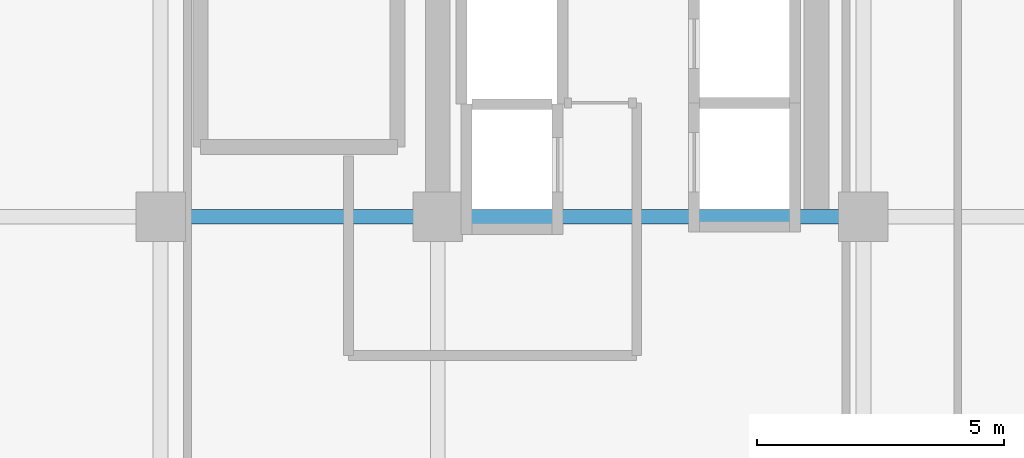
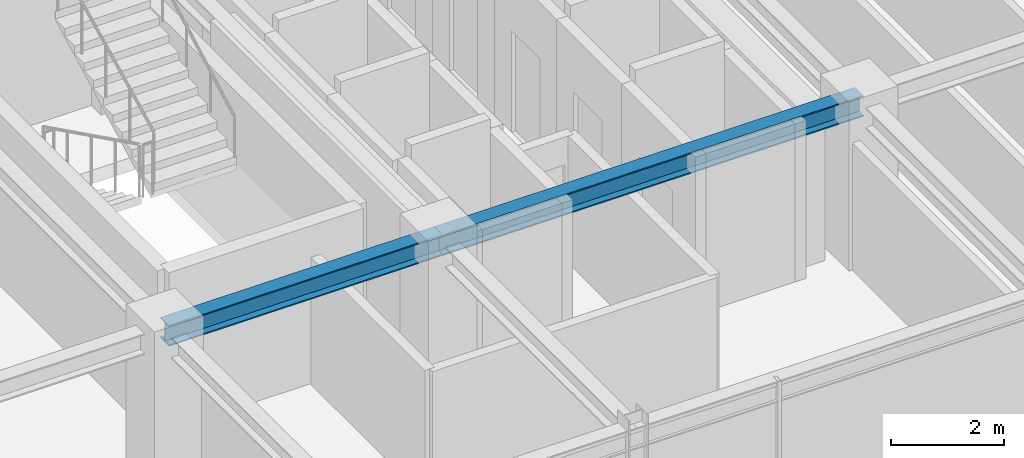
# One storey, part 13 of 35: 2 beams.
"""IFC4 building model written with IfcOpenShell, lengths in metres."""

from ifc_helpers import new_model, si_unit, direction, frame, origin, origin_2d, place, context, subcontext, project, spatial, i_section, extrude, source, transform, mapped, material, material_profile, profile_set, type_object, element, save


model = new_model("IFC4")

# Units and contexts
model_context = context("Model", 3, precision=1e-05, world=origin(), true_north=direction((0.0, 1.0)))
body_context = subcontext(model_context, "Body", "Model", "MODEL_VIEW")
ifc_project = project(units=[si_unit("LENGTHUNIT", "METRE"), si_unit("AREAUNIT", "SQUARE_METRE"), si_unit("VOLUMEUNIT", "CUBIC_METRE"), si_unit("PLANEANGLEUNIT", "RADIAN"), si_unit("MASSUNIT", "GRAM", prefix="KILO")], contexts=[model_context])

# Site, building, storey
site_placement = place(None, origin())
site = spatial("IfcSite", under=ifc_project, at=site_placement, CompositionType="ELEMENT")
building_placement = place(site_placement, origin())
building = spatial("IfcBuilding", under=site, at=building_placement, Name="Nahalor Promenade Grand Hotel", CompositionType="ELEMENT")
storey_placement = place(building_placement, frame((0.0, 0.0, 216.0)))
storey = spatial("IfcBuildingStorey", under=building, at=storey_placement, Name="L55", CompositionType="ELEMENT", Elevation=216.0)

# Beams
ifc_material = material(Name="Steel S355JR", Category="steel")
ifc_material_profile = material_profile(ifc_material, i_section(OverallWidth=0.3, OverallDepth=0.45, WebThickness=0.014, FlangeThickness=0.026, at=origin_2d()), Name="HEB 450")
ifc_profile_set = profile_set([ifc_material_profile], Name="Steel S355JR")
beam_type = type_object("IfcBeamType", Name="Beam-Girder-HEB450", PredefinedType="BEAM", material=ifc_profile_set)
shared_shape_1 = source(origin(), body_context, "Body", "SweptSolid", [
    extrude(i_section(OverallWidth=0.3, OverallDepth=0.45, WebThickness=0.014, FlangeThickness=0.026, at=origin_2d()), origin(), (0.0, 0.0, 1.0), 8.60009765625),
])
beam_1_placement = place(storey_placement, frame((8.39990234375, -17.0, 3.18505859375), z_axis=(1.0, 0.0, 0.0), x_axis=(0.0, 1.0, 0.0)))
element("IfcBeam", 1, at=beam_1_placement, inside=storey, type_object=beam_type, Name="BM-L55-GX-0-5", PredefinedType="BEAM", context=body_context, shape_type="MappedRepresentation", body=[
    mapped(shared_shape_1, transform((0.0, 0.0, 0.0), scale=1.0)),
])
shared_shape_2 = source(origin(), body_context, "Body", "SweptSolid", [
    extrude(i_section(OverallWidth=0.3, OverallDepth=0.45, WebThickness=0.014, FlangeThickness=0.026, at=origin_2d()), origin(), (0.0, 0.0, 1.0), 5.599853515625),
])
beam_2_placement = place(storey_placement, frame((2.800048828125, -17.0, 3.18505859375), z_axis=(1.0, 0.0, 0.0), x_axis=(0.0, 1.0, 0.0)))
element("IfcBeam", 2, at=beam_2_placement, inside=storey, type_object=beam_type, Name="BM-L55-GX-0-4", PredefinedType="BEAM", context=body_context, shape_type="MappedRepresentation", body=[
    mapped(shared_shape_2, transform((0.0, 0.0, 0.0), scale=1.0)),
])

save(model, "model.ifc")
